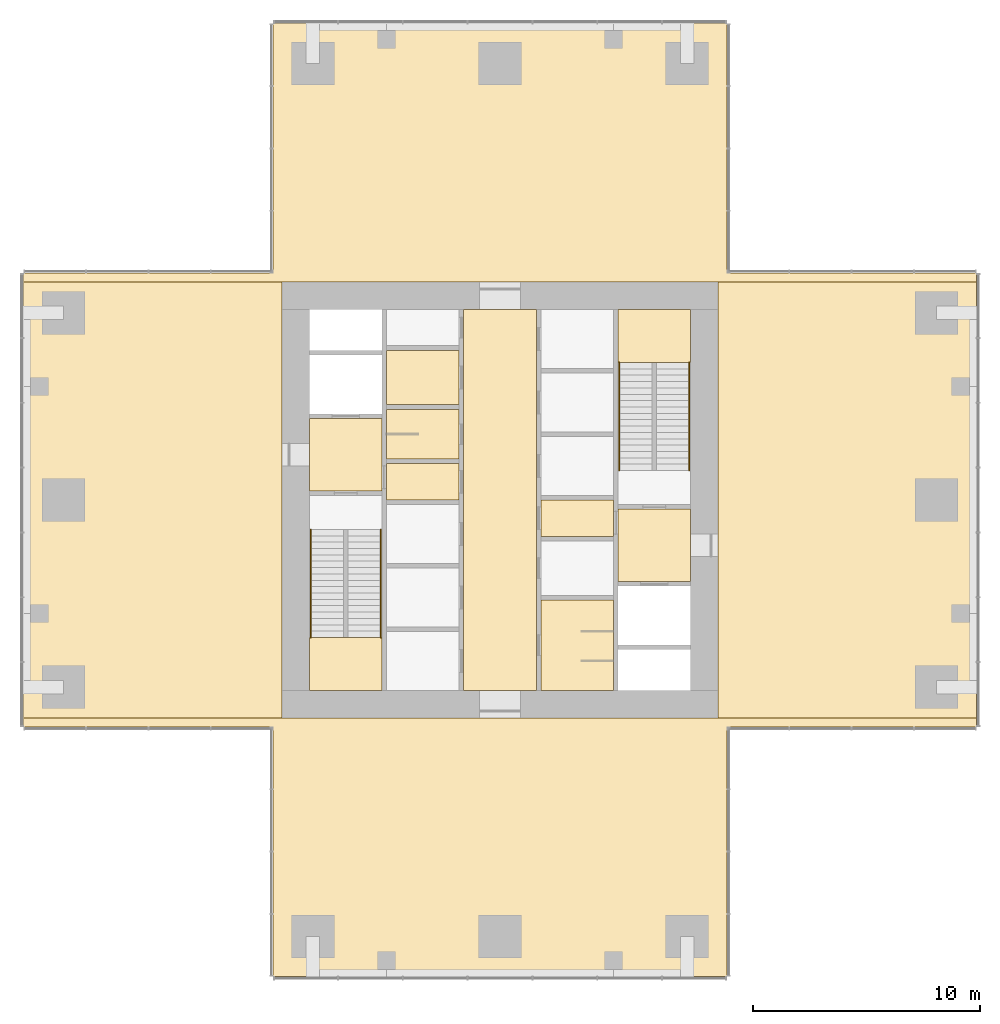
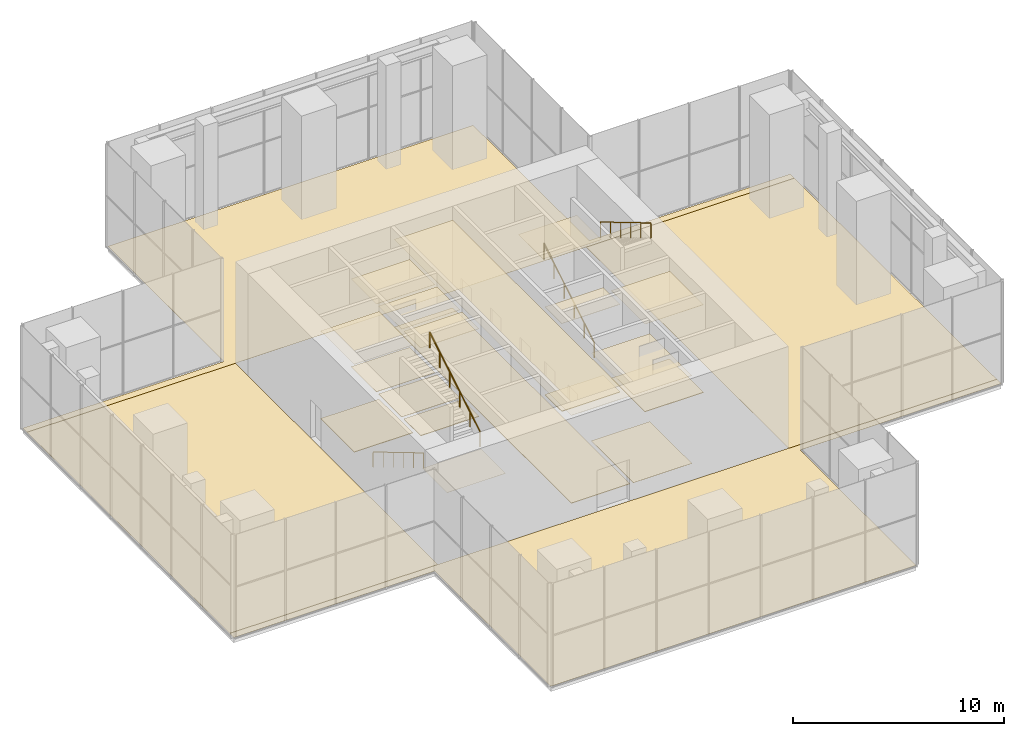
# One storey, part 11 of 11: 22 coverings, 4 railings.
"""IFC4 building model written with IfcOpenShell, lengths in metres."""

from ifc_helpers import new_model, si_unit, direction, frame, origin, origin_2d, place, context, subcontext, project, spatial, polyline, circle, outline, extrude, material, layer, layer_set, type_object, element, save


model = new_model("IFC4")

# Units and contexts
model_context = context("Model", 3, precision=1e-05, world=origin(), true_north=direction((0.0, 1.0)))
body_context = subcontext(model_context, "Body", "Model", "MODEL_VIEW")
ifc_project = project(units=[si_unit("LENGTHUNIT", "METRE"), si_unit("AREAUNIT", "SQUARE_METRE"), si_unit("VOLUMEUNIT", "CUBIC_METRE"), si_unit("PLANEANGLEUNIT", "RADIAN"), si_unit("MASSUNIT", "GRAM", prefix="KILO")], contexts=[model_context])

# Site, building, storey
site_placement = place(None, origin())
site = spatial("IfcSite", under=ifc_project, at=site_placement, CompositionType="ELEMENT")
building_placement = place(site_placement, origin())
building = spatial("IfcBuilding", under=site, at=building_placement, Name="Svetlomir Tower", CompositionType="ELEMENT")
storey_placement = place(building_placement, frame((0.0, 0.0, 277.89990234375)))
storey = spatial("IfcBuildingStorey", under=building, at=storey_placement, Name="L66", CompositionType="ELEMENT", Elevation=277.89990234375)

# Coverings
ifc_material_1 = material(Name="Ceramic floor tile", Category="ceramic")
ifc_layer_1 = layer(ifc_material_1, 0.014892578125)
ifc_layer_set_1 = layer_set([ifc_layer_1], Name="Ceramic floor tile")
covering_type_1 = type_object("IfcCoveringType", Name="CERAMIC TILE FLOOR 15", PredefinedType="FLOORING", material=ifc_layer_set_1)
covering_1_placement = place(storey_placement, origin())
element("IfcCovering", 1, at=covering_1_placement, inside=storey, type_object=covering_type_1, Name="Floor finish L66-04", PredefinedType="FLOORING", context=body_context, shape_type="SweptSolid", body=[
    extrude(outline(polyline([(16.0, 22.800048828125), (19.199951171875, 22.800048828125), (19.199951171875, 25.0), (16.0, 25.0), (16.0, 22.800048828125)])), origin(), (0.0, 0.0, 1.0), 0.01513671875),
])
covering_2_placement = place(storey_placement, origin())
element("IfcCovering", 2, at=covering_2_placement, inside=storey, type_object=covering_type_1, Name="Floor finish L66-05", PredefinedType="FLOORING", context=body_context, shape_type="SweptSolid", body=[
    extrude(outline(polyline([(16.0, 25.199951171875), (19.199951171875, 25.199951171875), (19.199951171875, 27.60009765625), (16.0, 27.60009765625), (16.0, 25.199951171875)])), origin(), (0.0, 0.0, 1.0), 0.01513671875),
])
covering_3_placement = place(storey_placement, origin())
element("IfcCovering", 3, at=covering_3_placement, inside=storey, type_object=covering_type_1, Name="Floor finish L66-08", PredefinedType="FLOORING", context=body_context, shape_type="SweptSolid", body=[
    extrude(outline(polyline([(22.800048828125, 12.60009765625), (26.0, 12.60009765625), (26.0, 16.60009765625), (22.800048828125, 16.60009765625), (22.800048828125, 12.60009765625)])), origin(), (0.0, 0.0, 1.0), 0.01513671875),
])
ifc_material_2 = material(Name="Epoxy resin floor coating", Category="resin")
ifc_layer_2 = layer(ifc_material_2, 0.0048828125)
ifc_layer_set_2 = layer_set([ifc_layer_2], Name="Epoxy resin floor coating")
covering_type_2 = type_object("IfcCoveringType", Name="EPOXY FLOOR 5", PredefinedType="FLOORING", material=ifc_layer_set_2)
covering_4_placement = place(storey_placement, origin())
element("IfcCovering", 4, at=covering_4_placement, inside=storey, type_object=covering_type_2, Name="Floor finish L66-19", PredefinedType="FLOORING", context=body_context, shape_type="SweptSolid", body=[
    extrude(outline(polyline([(31.0, 11.0), (31.0, 0.0), (11.0, 0.0), (11.0, 11.0), (0.0, 11.0), (0.0, 11.39990234375), (42.0, 11.39990234375), (42.0, 11.0), (31.0, 11.0)])), origin(), (0.0, 0.0, 1.0), 0.005126953125),
])
covering_5_placement = place(storey_placement, origin())
element("IfcCovering", 5, at=covering_5_placement, inside=storey, type_object=covering_type_2, Name="Floor finish L66-20", PredefinedType="FLOORING", context=body_context, shape_type="SweptSolid", body=[
    extrude(outline(polyline([(11.0, 31.0), (11.0, 42.0), (31.0, 42.0), (31.0, 31.0), (42.0, 31.0), (42.0, 30.60009765625), (0.0, 30.60009765625), (0.0, 31.0), (11.0, 31.0)])), origin(), (0.0, 0.0, 1.0), 0.005126953125),
])
covering_6_placement = place(storey_placement, origin())
element("IfcCovering", 6, at=covering_6_placement, inside=storey, type_object=covering_type_2, Name="Floor finish L66-21", PredefinedType="FLOORING", context=body_context, shape_type="SweptSolid", body=[
    extrude(outline(polyline([(11.39990234375, 30.60009765625), (11.39990234375, 11.39990234375), (0.0, 11.39990234375), (0.0, 30.60009765625), (11.39990234375, 30.60009765625)])), origin(), (0.0, 0.0, 1.0), 0.005126953125),
])
covering_7_placement = place(storey_placement, origin())
element("IfcCovering", 7, at=covering_7_placement, inside=storey, type_object=covering_type_2, Name="Floor finish L66-22", PredefinedType="FLOORING", context=body_context, shape_type="SweptSolid", body=[
    extrude(outline(polyline([(30.60009765625, 11.39990234375), (30.60009765625, 30.60009765625), (42.0, 30.60009765625), (42.0, 11.39990234375), (30.60009765625, 11.39990234375)])), origin(), (0.0, 0.0, 1.0), 0.005126953125),
])

# Railings
ifc_material_3 = material(Name="Stainless steel", Category="steel")
railing_type = type_object("IfcRailingType", Name="HANDRAIL HR1 900", PredefinedType="HANDRAIL", material=ifc_material_3)
railing_1_placement = place(storey_placement, frame((12.64990234375, 19.699951171875, 0.166748046875)))
element("IfcRailing", 8, at=railing_1_placement, inside=storey, type_object=railing_type, Name="Handrail S1 flight 1 L66", PredefinedType="HANDRAIL", context=body_context, shape_type="SweptSolid", body=[
    extrude(circle(Radius=0.02392578125, at=origin_2d()), frame((0.0, 0.0, 0.8759765625), z_axis=(0.0, -0.859299802514, 0.511472237174), x_axis=(1.0, 0.0, 0.0)), (0.0, 0.0, 1.0), 5.539306640625),
    extrude(circle(Radius=0.02099609375, at=origin_2d()), origin(), (0.0, 0.0, 1.0), 0.851806640625),
    extrude(circle(Radius=0.02099609375, at=origin_2d()), frame((0.0, -0.951904296875, 0.566650390625)), (0.0, 0.0, 1.0), 0.851806640625),
    extrude(circle(Radius=0.02099609375, at=origin_2d()), frame((0.0, -1.904052734375, 1.13330078125)), (0.0, 0.0, 1.0), 0.851806640625),
    extrude(circle(Radius=0.02099609375, at=origin_2d()), frame((0.0, -2.85595703125, 1.699951171875)), (0.0, 0.0, 1.0), 0.851806640625),
    extrude(circle(Radius=0.02099609375, at=origin_2d()), frame((0.0, -3.80810546875, 2.2666015625)), (0.0, 0.0, 1.0), 0.851806640625),
    extrude(circle(Radius=0.02099609375, at=origin_2d()), frame((0.0, -4.760009765625, 2.833251953125)), (0.0, 0.0, 1.0), 0.851806640625),
])
for number, where, name in (
    (9, (15.75, 14.93994140625, 3.166748046875), "Handrail S1 flight 2 L66"),
    (10, (26.25, 22.300048828125, 0.166748046875), "Handrail S2 flight 1 L66"),
):
    element("IfcRailing", number, at=place(storey_placement, frame(where)), inside=storey, type_object=railing_type, Name=name, PredefinedType="HANDRAIL", context=body_context, shape_type="SweptSolid", body=[
        extrude(circle(Radius=0.02392578125, at=origin_2d()), frame((0.0, 0.0, 0.8759765625), z_axis=(0.0, 0.859299802514, 0.511472237174), x_axis=(-1.0, 0.0, 0.0)), (0.0, 0.0, 1.0), 5.539306640625),
        extrude(circle(Radius=0.02099609375, at=origin_2d()), origin(), (0.0, 0.0, 1.0), 0.851806640625),
        extrude(circle(Radius=0.02099609375, at=origin_2d()), frame((0.0, 0.951904296875, 0.566650390625)), (0.0, 0.0, 1.0), 0.851806640625),
        extrude(circle(Radius=0.02099609375, at=origin_2d()), frame((0.0, 1.904052734375, 1.13330078125)), (0.0, 0.0, 1.0), 0.851806640625),
        extrude(circle(Radius=0.02099609375, at=origin_2d()), frame((0.0, 2.85595703125, 1.699951171875)), (0.0, 0.0, 1.0), 0.851806640625),
        extrude(circle(Radius=0.02099609375, at=origin_2d()), frame((0.0, 3.80810546875, 2.2666015625)), (0.0, 0.0, 1.0), 0.851806640625),
        extrude(circle(Radius=0.02099609375, at=origin_2d()), frame((0.0, 4.760009765625, 2.833251953125)), (0.0, 0.0, 1.0), 0.851806640625),
    ])
railing_2_placement = place(storey_placement, frame((29.35009765625, 27.06005859375, 3.166748046875)))
element("IfcRailing", 11, at=railing_2_placement, inside=storey, type_object=railing_type, Name="Handrail S2 flight 2 L66", PredefinedType="HANDRAIL", context=body_context, shape_type="SweptSolid", body=[
    extrude(circle(Radius=0.02392578125, at=origin_2d()), frame((0.0, 0.0, 0.8759765625), z_axis=(0.0, -0.859299802514, 0.511472237174), x_axis=(1.0, 0.0, 0.0)), (0.0, 0.0, 1.0), 5.539306640625),
    extrude(circle(Radius=0.02099609375, at=origin_2d()), origin(), (0.0, 0.0, 1.0), 0.851806640625),
    extrude(circle(Radius=0.02099609375, at=origin_2d()), frame((0.0, -0.951904296875, 0.566650390625)), (0.0, 0.0, 1.0), 0.851806640625),
    extrude(circle(Radius=0.02099609375, at=origin_2d()), frame((0.0, -1.904052734375, 1.13330078125)), (0.0, 0.0, 1.0), 0.851806640625),
    extrude(circle(Radius=0.02099609375, at=origin_2d()), frame((0.0, -2.85595703125, 1.699951171875)), (0.0, 0.0, 1.0), 0.851806640625),
    extrude(circle(Radius=0.02099609375, at=origin_2d()), frame((0.0, -3.80810546875, 2.2666015625)), (0.0, 0.0, 1.0), 0.851806640625),
    extrude(circle(Radius=0.02099609375, at=origin_2d()), frame((0.0, -4.760009765625, 2.833251953125)), (0.0, 0.0, 1.0), 0.851806640625),
])

# Coverings
ifc_material_4 = material(Name="Moisture resistant plasterboard ceiling", Category="gypsum")
ifc_layer_3 = layer(ifc_material_4, 0.012451171875)
ifc_layer_set_3 = layer_set([ifc_layer_3], Name="Moisture resistant plasterboard ceiling")
covering_type_3 = type_object("IfcCoveringType", Name="MOISTURE RESISTANT CEILING 12.5", PredefinedType="CEILING", material=ifc_layer_set_3)
covering_8_placement = place(storey_placement, frame((0.0, 0.0, 5.087646484375)))
element("IfcCovering", 12, at=covering_8_placement, inside=storey, type_object=covering_type_3, Name="Ceiling L66-04", PredefinedType="CEILING", context=body_context, shape_type="SweptSolid", body=[
    extrude(outline(polyline([(16.0, 22.800048828125), (19.199951171875, 22.800048828125), (19.199951171875, 25.0), (16.0, 25.0), (16.0, 22.800048828125)])), origin(), (0.0, 0.0, 1.0), 0.012451171875),
])
covering_9_placement = place(storey_placement, frame((0.0, 0.0, 5.087646484375)))
element("IfcCovering", 13, at=covering_9_placement, inside=storey, type_object=covering_type_3, Name="Ceiling L66-05", PredefinedType="CEILING", context=body_context, shape_type="SweptSolid", body=[
    extrude(outline(polyline([(16.0, 25.199951171875), (19.199951171875, 25.199951171875), (19.199951171875, 27.60009765625), (16.0, 27.60009765625), (16.0, 25.199951171875)])), origin(), (0.0, 0.0, 1.0), 0.012451171875),
])
covering_10_placement = place(storey_placement, frame((0.0, 0.0, 5.087646484375)))
element("IfcCovering", 14, at=covering_10_placement, inside=storey, type_object=covering_type_3, Name="Ceiling L66-08", PredefinedType="CEILING", context=body_context, shape_type="SweptSolid", body=[
    extrude(outline(polyline([(22.800048828125, 12.60009765625), (26.0, 12.60009765625), (26.0, 16.60009765625), (22.800048828125, 16.60009765625), (22.800048828125, 12.60009765625)])), origin(), (0.0, 0.0, 1.0), 0.012451171875),
])
ifc_material_5 = material(Name="Gypsum plasterboard ceiling", Category="gypsum")
ifc_layer_4 = layer(ifc_material_5, 0.014892578125)
ifc_layer_set_4 = layer_set([ifc_layer_4], Name="Gypsum plasterboard ceiling")
covering_type_4 = type_object("IfcCoveringType", Name="PLASTERBOARD CEILING 15", PredefinedType="CEILING", material=ifc_layer_set_4)
covering_11_placement = place(storey_placement, frame((0.0, 0.0, 5.085205078125)))
element("IfcCovering", 15, at=covering_11_placement, inside=storey, type_object=covering_type_4, Name="Ceiling L66-02", PredefinedType="CEILING", context=body_context, shape_type="SweptSolid", body=[
    extrude(outline(polyline([(12.60009765625, 21.39990234375), (15.800048828125, 21.39990234375), (15.800048828125, 24.60009765625), (12.60009765625, 24.60009765625), (12.60009765625, 21.39990234375)])), origin(), (0.0, 0.0, 1.0), 0.014892578125),
])
covering_12_placement = place(storey_placement, frame((0.0, 0.0, 5.085205078125)))
element("IfcCovering", 16, at=covering_12_placement, inside=storey, type_object=covering_type_4, Name="Ceiling L66-03", PredefinedType="CEILING", context=body_context, shape_type="SweptSolid", body=[
    extrude(outline(polyline([(16.0, 21.0), (19.199951171875, 21.0), (19.199951171875, 22.60009765625), (16.0, 22.60009765625), (16.0, 21.0)])), origin(), (0.0, 0.0, 1.0), 0.014892578125),
])
covering_13_placement = place(storey_placement, frame((0.0, 0.0, 5.085205078125)))
element("IfcCovering", 17, at=covering_13_placement, inside=storey, type_object=covering_type_4, Name="Ceiling L66-07", PredefinedType="CEILING", context=body_context, shape_type="SweptSolid", body=[
    extrude(outline(polyline([(19.39990234375, 12.60009765625), (22.60009765625, 12.60009765625), (22.60009765625, 29.39990234375), (19.39990234375, 29.39990234375), (19.39990234375, 12.60009765625)])), origin(), (0.0, 0.0, 1.0), 0.014892578125),
])
covering_14_placement = place(storey_placement, frame((0.0, 0.0, 5.085205078125)))
element("IfcCovering", 18, at=covering_14_placement, inside=storey, type_object=covering_type_4, Name="Ceiling L66-10", PredefinedType="CEILING", context=body_context, shape_type="SweptSolid", body=[
    extrude(outline(polyline([(22.800048828125, 19.39990234375), (26.0, 19.39990234375), (26.0, 21.0), (22.800048828125, 21.0), (22.800048828125, 19.39990234375)])), origin(), (0.0, 0.0, 1.0), 0.014892578125),
])
covering_15_placement = place(storey_placement, frame((0.0, 0.0, 5.085205078125)))
element("IfcCovering", 19, at=covering_15_placement, inside=storey, type_object=covering_type_4, Name="Ceiling L66-11", PredefinedType="CEILING", context=body_context, shape_type="SweptSolid", body=[
    extrude(outline(polyline([(26.199951171875, 17.39990234375), (29.39990234375, 17.39990234375), (29.39990234375, 20.60009765625), (26.199951171875, 20.60009765625), (26.199951171875, 17.39990234375)])), origin(), (0.0, 0.0, 1.0), 0.014892578125),
])
ifc_material_6 = material(Name="Studded rubber floor finish", Category="rubber")
ifc_layer_5 = layer(ifc_material_6, 0.006103515625)
ifc_layer_set_5 = layer_set([ifc_layer_5], Name="Studded rubber floor finish")
covering_type_5 = type_object("IfcCoveringType", Name="RUBBER LANDING FINISH 6", PredefinedType="FLOORING", material=ifc_layer_set_5)
covering_16_placement = place(storey_placement, frame((0.0, 0.0, 3.0)))
element("IfcCovering", 20, at=covering_16_placement, inside=storey, type_object=covering_type_5, Name="Stair S1 landing finish L66", PredefinedType="FLOORING", context=body_context, shape_type="SweptSolid", body=[
    extrude(outline(polyline([(12.60009765625, 12.60009765625), (15.800048828125, 12.60009765625), (15.800048828125, 14.93994140625), (12.60009765625, 14.93994140625), (12.60009765625, 12.60009765625)])), origin(), (0.0, 0.0, 1.0), 0.006103515625),
])
covering_17_placement = place(storey_placement, frame((0.0, 0.0, 3.0)))
element("IfcCovering", 21, at=covering_17_placement, inside=storey, type_object=covering_type_5, Name="Stair S2 landing finish L66", PredefinedType="FLOORING", context=body_context, shape_type="SweptSolid", body=[
    extrude(outline(polyline([(26.199951171875, 27.06005859375), (29.39990234375, 27.06005859375), (29.39990234375, 29.39990234375), (26.199951171875, 29.39990234375), (26.199951171875, 27.06005859375)])), origin(), (0.0, 0.0, 1.0), 0.006103515625),
])
ifc_material_7 = material(Name="Bronze-aggregate terrazzo", Category="stone")
ifc_layer_6 = layer(ifc_material_7, 0.030029296875)
ifc_layer_set_6 = layer_set([ifc_layer_6], Name="Bronze-aggregate terrazzo")
covering_type_6 = type_object("IfcCoveringType", Name="TERRAZZO FLOOR 30", PredefinedType="FLOORING", material=ifc_layer_set_6)
covering_18_placement = place(storey_placement, origin())
element("IfcCovering", 22, at=covering_18_placement, inside=storey, type_object=covering_type_6, Name="Floor finish L66-02", PredefinedType="FLOORING", context=body_context, shape_type="SweptSolid", body=[
    extrude(outline(polyline([(12.60009765625, 21.39990234375), (15.800048828125, 21.39990234375), (15.800048828125, 24.60009765625), (12.60009765625, 24.60009765625), (12.60009765625, 21.39990234375)])), origin(), (0.0, 0.0, 1.0), 0.030029296875),
])
covering_19_placement = place(storey_placement, origin())
element("IfcCovering", 23, at=covering_19_placement, inside=storey, type_object=covering_type_6, Name="Floor finish L66-03", PredefinedType="FLOORING", context=body_context, shape_type="SweptSolid", body=[
    extrude(outline(polyline([(16.0, 21.0), (19.199951171875, 21.0), (19.199951171875, 22.60009765625), (16.0, 22.60009765625), (16.0, 21.0)])), origin(), (0.0, 0.0, 1.0), 0.030029296875),
])
covering_20_placement = place(storey_placement, origin())
element("IfcCovering", 24, at=covering_20_placement, inside=storey, type_object=covering_type_6, Name="Floor finish L66-07", PredefinedType="FLOORING", context=body_context, shape_type="SweptSolid", body=[
    extrude(outline(polyline([(19.39990234375, 12.60009765625), (22.60009765625, 12.60009765625), (22.60009765625, 29.39990234375), (19.39990234375, 29.39990234375), (19.39990234375, 12.60009765625)])), origin(), (0.0, 0.0, 1.0), 0.030029296875),
])
covering_21_placement = place(storey_placement, origin())
element("IfcCovering", 25, at=covering_21_placement, inside=storey, type_object=covering_type_6, Name="Floor finish L66-10", PredefinedType="FLOORING", context=body_context, shape_type="SweptSolid", body=[
    extrude(outline(polyline([(22.800048828125, 19.39990234375), (26.0, 19.39990234375), (26.0, 21.0), (22.800048828125, 21.0), (22.800048828125, 19.39990234375)])), origin(), (0.0, 0.0, 1.0), 0.030029296875),
])
covering_22_placement = place(storey_placement, origin())
element("IfcCovering", 26, at=covering_22_placement, inside=storey, type_object=covering_type_6, Name="Floor finish L66-11", PredefinedType="FLOORING", context=body_context, shape_type="SweptSolid", body=[
    extrude(outline(polyline([(26.199951171875, 17.39990234375), (29.39990234375, 17.39990234375), (29.39990234375, 20.60009765625), (26.199951171875, 20.60009765625), (26.199951171875, 17.39990234375)])), origin(), (0.0, 0.0, 1.0), 0.030029296875),
])

save(model, "model.ifc")
